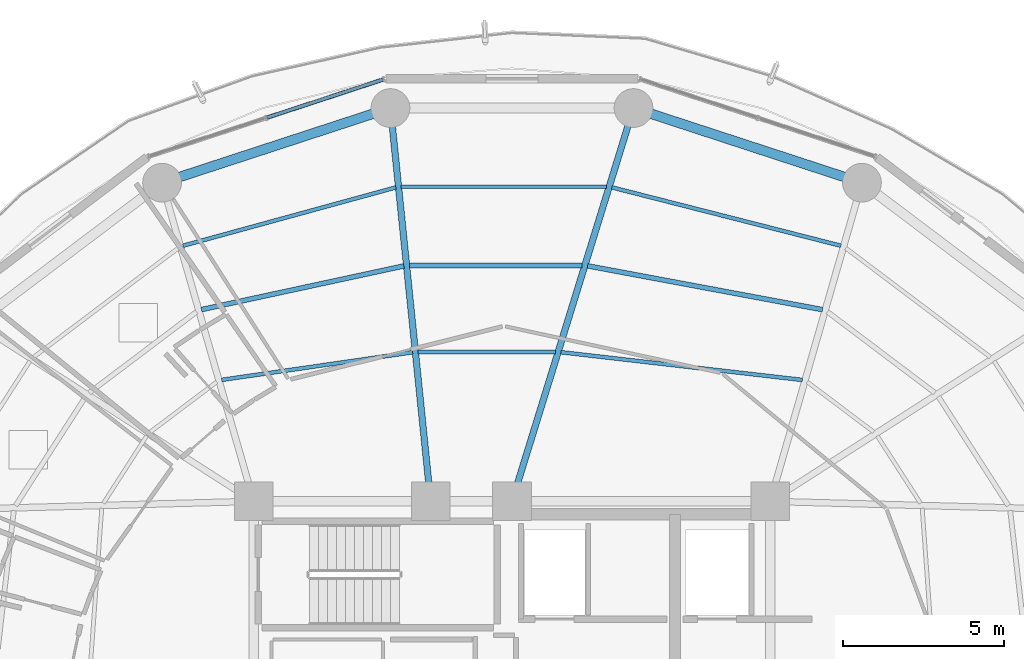
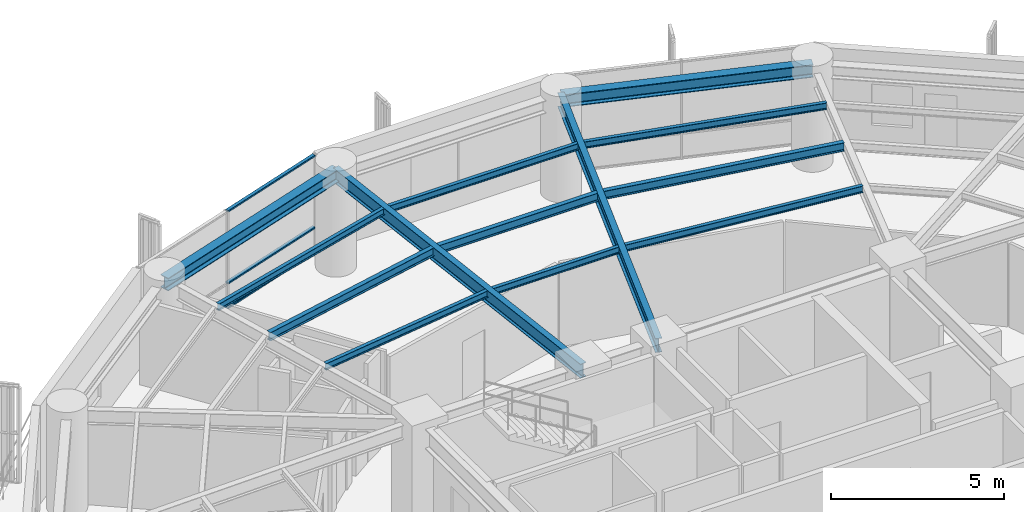
# One storey, part 17 of 28: 13 beams, 3 members, 1 element without a shape of its own.
"""IFC4 building model written with IfcOpenShell, lengths in metres."""

from ifc_helpers import new_model, si_unit, direction, frame, origin, origin_2d, place, context, subcontext, project, spatial, hollow_rectangle, i_section, extrude, material, layer, layer_set, material_profile, profile_set, type_object, element, aggregate, save


model = new_model("IFC4")

# Units and contexts
model_context = context("Model", 3, precision=1e-05, world=origin(), true_north=direction((0.0, 1.0)))
body_context = subcontext(model_context, "Body", "Model", "MODEL_VIEW")
ifc_project = project(units=[si_unit("LENGTHUNIT", "METRE"), si_unit("AREAUNIT", "SQUARE_METRE"), si_unit("VOLUMEUNIT", "CUBIC_METRE"), si_unit("PLANEANGLEUNIT", "RADIAN"), si_unit("MASSUNIT", "GRAM", prefix="KILO")], contexts=[model_context])

# Site, building, storey
site_placement = place(None, origin())
site = spatial("IfcSite", under=ifc_project, at=site_placement, CompositionType="ELEMENT")
building_placement = place(site_placement, origin())
building = spatial("IfcBuilding", under=site, at=building_placement, Name="Kelanora Arch Commons", CompositionType="ELEMENT")
storey_placement = place(building_placement, frame((0.0, 0.0, 161.85009765625)))
storey = spatial("IfcBuildingStorey", under=building, at=storey_placement, Name="L41", CompositionType="ELEMENT", Elevation=161.85009765625)

# Beams
ifc_material_1 = material(Name="Steel S355", Category="steel")
ifc_material_profile_1 = material_profile(ifc_material_1, i_section(OverallWidth=0.14990234375, OverallDepth=0.300048828125, WebThickness=0.007080078125, FlangeThickness=0.0107421875, FilletRadius=0.014892578125, at=origin_2d()), Name="IPE300")
ifc_profile_set_1 = profile_set([ifc_material_profile_1], Name="Steel S355")
beam_type_1 = type_object("IfcBeamType", Name="BM-JST-01", PredefinedType="JOIST", material=ifc_profile_set_1)
beam_1_placement = place(storey_placement, frame((83.620361328125, 70.937744140625, 3.33984375), z_axis=(-0.983054256126, 0.183314837134, 0.0), x_axis=(-0.183314837134, -0.983054256126, 0.0)))
element("IfcBeam", 1, at=beam_1_placement, inside=storey, type_object=beam_type_1, Name="Secondary Chord Joist BJB-06 L41", PredefinedType="JOIST", context=body_context, shape_type="SweptSolid", body=[
    extrude(i_section(OverallWidth=0.14990234375, OverallDepth=0.300048828125, WebThickness=0.007080078125, FlangeThickness=0.0107421875, FilletRadius=0.014892578125, at=origin_2d()), origin(), (0.0, 0.0, 1.0), 7.403564453125),
])
beam_2_placement = place(storey_placement, frame((76.173828125, 72.310546875, 3.33984375), z_axis=(-1.0, 0.0, 0.0), x_axis=(0.0, -1.0, 0.0)))
element("IfcBeam", 2, at=beam_2_placement, inside=storey, type_object=beam_type_1, Name="Secondary Chord Joist BJB-08 L41", PredefinedType="JOIST", context=body_context, shape_type="SweptSolid", body=[
    extrude(i_section(OverallWidth=0.14990234375, OverallDepth=0.300048828125, WebThickness=0.007080078125, FlangeThickness=0.0107421875, FilletRadius=0.014892578125, at=origin_2d()), origin(), (0.0, 0.0, 1.0), 5.355712890625),
])
beam_3_placement = place(storey_placement, frame((70.650146484375, 72.29248046875, 3.33984375), z_axis=(-0.977521966827, -0.210833594029, 0.0), x_axis=(0.210833594029, -0.977521966827, 0.0)))
element("IfcBeam", 3, at=beam_3_placement, inside=storey, type_object=beam_type_1, Name="Secondary Chord Joist BJB-10 L41", PredefinedType="JOIST", context=body_context, shape_type="SweptSolid", body=[
    extrude(i_section(OverallWidth=0.14990234375, OverallDepth=0.300048828125, WebThickness=0.007080078125, FlangeThickness=0.0107421875, FilletRadius=0.014892578125, at=origin_2d()), origin(), (0.0, 0.0, 1.0), 6.415283203125),
])
ifc_material_profile_2 = material_profile(ifc_material_1, i_section(OverallWidth=0.1201171875, OverallDepth=0.239990234375, WebThickness=0.006103515625, FlangeThickness=0.009765625, FilletRadius=0.014892578125, at=origin_2d()), Name="IPE240")
ifc_profile_set_2 = profile_set([ifc_material_profile_2], Name="Steel S355")
beam_type_2 = type_object("IfcBeamType", Name="BM-JST-02", PredefinedType="JOIST", material=ifc_profile_set_2)
beam_4_placement = place(storey_placement, frame((82.994873046875, 68.760498046875, 3.369873046875), z_axis=(-0.993457414184, 0.114203179475, 0.0), x_axis=(-0.114203179475, -0.993457414184, 0.0)))
element("IfcBeam", 4, at=beam_4_placement, inside=storey, type_object=beam_type_2, Name="Secondary Chord Joist BJA-06 L41", PredefinedType="JOIST", context=body_context, shape_type="SweptSolid", body=[
    extrude(i_section(OverallWidth=0.1201171875, OverallDepth=0.239990234375, WebThickness=0.006103515625, FlangeThickness=0.009765625, FilletRadius=0.014892578125, at=origin_2d()), origin(), (0.0, 0.0, 1.0), 7.529296875),
])
beam_5_placement = place(storey_placement, frame((84.189697265625, 72.917236328125, 3.369873046875), z_axis=(-0.96900232943, 0.247051584815, 0.0), x_axis=(-0.247051584815, -0.96900232943, 0.0)))
element("IfcBeam", 5, at=beam_5_placement, inside=storey, type_object=beam_type_2, Name="Secondary Chord Joist BJC-06 L41", PredefinedType="JOIST", context=body_context, shape_type="SweptSolid", body=[
    extrude(i_section(OverallWidth=0.1201171875, OverallDepth=0.239990234375, WebThickness=0.006103515625, FlangeThickness=0.009765625, FilletRadius=0.014892578125, at=origin_2d()), origin(), (0.0, 0.0, 1.0), 7.32275390625),
])
beam_6_placement = place(storey_placement, frame((75.345703125, 69.6298828125, 3.369873046875), z_axis=(-1.0, 0.0, 0.0), x_axis=(0.0, -1.0, 0.0)))
element("IfcBeam", 6, at=beam_6_placement, inside=storey, type_object=beam_type_2, Name="Secondary Chord Joist BJA-08 L41", PredefinedType="JOIST", context=body_context, shape_type="SweptSolid", body=[
    extrude(i_section(OverallWidth=0.1201171875, OverallDepth=0.239990234375, WebThickness=0.006103515625, FlangeThickness=0.009765625, FilletRadius=0.014892578125, at=origin_2d()), origin(), (0.0, 0.0, 1.0), 4.253662109375),
])
beam_7_placement = place(storey_placement, frame((76.9267578125, 74.747314453125, 3.369873046875), z_axis=(-1.0, 0.0, 0.0), x_axis=(0.0, -1.0, 0.0)))
element("IfcBeam", 7, at=beam_7_placement, inside=storey, type_object=beam_type_2, Name="Secondary Chord Joist BJC-08 L41", PredefinedType="JOIST", context=body_context, shape_type="SweptSolid", body=[
    extrude(i_section(OverallWidth=0.1201171875, OverallDepth=0.239990234375, WebThickness=0.006103515625, FlangeThickness=0.009765625, FilletRadius=0.014892578125, at=origin_2d()), origin(), (0.0, 0.0, 1.0), 6.357666015625),
])
beam_8_placement = place(storey_placement, frame((70.9228515625, 69.617919921875, 3.369873046875), z_axis=(-0.989718726051, -0.143027421508, 0.0), x_axis=(0.143027421508, -0.989718726051, 0.0)))
element("IfcBeam", 8, at=beam_8_placement, inside=storey, type_object=beam_type_2, Name="Secondary Chord Joist BJA-10 L41", PredefinedType="JOIST", context=body_context, shape_type="SweptSolid", body=[
    extrude(i_section(OverallWidth=0.1201171875, OverallDepth=0.239990234375, WebThickness=0.006103515625, FlangeThickness=0.009765625, FilletRadius=0.014892578125, at=origin_2d()), origin(), (0.0, 0.0, 1.0), 5.9794921875),
])
beam_9_placement = place(storey_placement, frame((70.40234375, 74.724853515625, 3.369873046875), z_axis=(-0.964456541131, -0.264241518824, 0.0), x_axis=(0.264241518824, -0.964456541131, 0.0)))
element("IfcBeam", 9, at=beam_9_placement, inside=storey, type_object=beam_type_2, Name="Secondary Chord Joist BJC-10 L41", PredefinedType="JOIST", context=body_context, shape_type="SweptSolid", body=[
    extrude(i_section(OverallWidth=0.1201171875, OverallDepth=0.239990234375, WebThickness=0.006103515625, FlangeThickness=0.009765625, FilletRadius=0.014892578125, at=origin_2d()), origin(), (0.0, 0.0, 1.0), 6.835205078125),
])
ifc_material_profile_3 = material_profile(ifc_material_1, i_section(OverallWidth=0.199951171875, OverallDepth=0.5, WebThickness=0.01025390625, FlangeThickness=0.01611328125, FilletRadius=0.02099609375, at=origin_2d()), Name="IPE500")
ifc_profile_set_3 = profile_set([ifc_material_profile_3], Name="Steel S355")
beam_type_3 = type_object("IfcBeamType", Name="BM-RAD-Z3", PredefinedType="BEAM", material=ifc_profile_set_3)
beam_10_placement = place(storey_placement, frame((74.0, 65.0, 3.239990234375), z_axis=(0.295210315095, 0.955432294755, 0.0), x_axis=(-0.955432294755, 0.295210315095, 0.0)))
element("IfcBeam", 10, at=beam_10_placement, inside=storey, type_object=beam_type_3, Name="Radial Floor Girder BR-08 L41", PredefinedType="BEAM", context=body_context, shape_type="SweptSolid", body=[
    extrude(i_section(OverallWidth=0.199951171875, OverallDepth=0.5, WebThickness=0.01025390625, FlangeThickness=0.01611328125, FilletRadius=0.02099609375, at=origin_2d()), origin(), (0.0, 0.0, 1.0), 12.75244140625),
])
beam_11_placement = place(storey_placement, frame((71.47998046875, 65.0, 3.239990234375), z_axis=(-0.101623200789, 0.994822961668, 0.0), x_axis=(-0.994822961668, -0.101623200789, 0.0)))
element("IfcBeam", 11, at=beam_11_placement, inside=storey, type_object=beam_type_3, Name="Radial Floor Girder BR-10 L41", PredefinedType="BEAM", context=body_context, shape_type="SweptSolid", body=[
    extrude(i_section(OverallWidth=0.199951171875, OverallDepth=0.5, WebThickness=0.01025390625, FlangeThickness=0.01611328125, FilletRadius=0.02099609375, at=origin_2d()), origin(), (0.0, 0.0, 1.0), 12.24755859375),
])
ifc_material_profile_4 = material_profile(ifc_material_1, i_section(OverallWidth=0.300048828125, OverallDepth=0.449951171875, WebThickness=0.013916015625, FlangeThickness=0.02587890625, FilletRadius=0.027099609375, at=origin_2d()), Name="HEB450")
ifc_profile_set_4 = profile_set([ifc_material_profile_4], Name="Steel S355")
beam_type_4 = type_object("IfcBeamType", Name="BM-SPN-Z3", PredefinedType="SPANDREL", material=ifc_profile_set_4)
for number, where, z_axis, x_axis, name in (
    (12, (84.840087890625, 74.8701171875, 3.264892578125), (-0.950461975786, 0.310840847676, 0.0), (-0.310840847676, -0.950461975786, 0.0), "Perimeter Spandrel Beam BS-06 L41"),
    (13, (70.2353515625, 77.18408203125, 3.264892578125), (-0.950461975786, -0.310840847676, 0.0), (0.310840847676, -0.950461975786, 0.0), "Perimeter Spandrel Beam BS-10 L41"),
):
    element("IfcBeam", number, at=place(storey_placement, frame(where, z_axis=z_axis, x_axis=x_axis)), inside=storey, type_object=beam_type_4, Name=name, PredefinedType="SPANDREL", context=body_context, shape_type="SweptSolid", body=[
        extrude(i_section(OverallWidth=0.300048828125, OverallDepth=0.449951171875, WebThickness=0.013916015625, FlangeThickness=0.02587890625, FilletRadius=0.027099609375, at=origin_2d()), origin(), (0.0, 0.0, 1.0), 7.444091796875),
    ])

# Curtain wall, members
ifc_material_2 = material(Name="Terracotta ceramic-fritted low-E glass and aluminium", Category="masonry")
ifc_layer = layer(ifc_material_2, 0.175048828125)
ifc_layer_set = layer_set([ifc_layer], Name="Terracotta ceramic-fritted low-E glass and aluminium")
curtain_wall_type = type_object("IfcCurtainWallType", Name="CW-SYS-02", PredefinedType="NOTDEFINED", material=ifc_layer_set)
curtain_wall_placement = place(storey_placement, origin())
curtain_wall = element("IfcCurtainWall", 14, at=curtain_wall_placement, inside=storey, type_object=curtain_wall_type, Name="Unitised Curtain Wall L41-B05", PredefinedType="NOTDEFINED")
ifc_material_3 = material(Name="Powder-coated aluminium terracotta", Category="masonry")
ifc_material_profile_5 = material_profile(ifc_material_3, hollow_rectangle(XDim=0.1201171875, YDim=0.06005859375, WallThickness=0.0048828125, InnerFilletRadius=0.0048828125, OuterFilletRadius=0.010009765625, at=origin_2d()), Name="CWT120x60")
ifc_profile_set_5 = profile_set([ifc_material_profile_5], Name="Powder-coated aluminium terracotta")
member_type = type_object("IfcMemberType", Name="CWT-STD", PredefinedType="USERDEFINED", material=ifc_profile_set_5)
member_1_placement = place(storey_placement, frame((70.00439453125, 78.066650390625, 0.02978515625), z_axis=(-0.950051191155, -0.312094111104, 0.0), x_axis=(0.312094111104, -0.950051191155, 0.0)))
member_1 = element("IfcMember", 15, at=member_1_placement, type_object=member_type, Name="CW-02 transom 1.1", ObjectType="TRANSOM", PredefinedType="USERDEFINED", context=body_context, shape_type="SweptSolid", body=[
    extrude(hollow_rectangle(XDim=0.1201171875, YDim=0.06005859375, WallThickness=0.0048828125, InnerFilletRadius=0.0048828125, OuterFilletRadius=0.010009765625, at=origin_2d()), origin(), (0.0, 0.0, 1.0), 3.77685546875),
])
member_2_placement = place(storey_placement, frame((70.00439453125, 78.066650390625, 0.89990234375), z_axis=(-0.950051191155, -0.312094111104, 0.0), x_axis=(0.312094111104, -0.950051191155, 0.0)))
member_2 = element("IfcMember", 16, at=member_2_placement, type_object=member_type, Name="CW-02 transom 1.2", ObjectType="TRANSOM", PredefinedType="USERDEFINED", context=body_context, shape_type="SweptSolid", body=[
    extrude(hollow_rectangle(XDim=0.1201171875, YDim=0.06005859375, WallThickness=0.0048828125, InnerFilletRadius=0.0048828125, OuterFilletRadius=0.010009765625, at=origin_2d()), origin(), (0.0, 0.0, 1.0), 3.77685546875),
])
member_3_placement = place(storey_placement, frame((70.00439453125, 78.066650390625, 3.44482421875), z_axis=(-0.950051191155, -0.312094111104, 0.0), x_axis=(0.312094111104, -0.950051191155, 0.0)))
member_3 = element("IfcMember", 17, at=member_3_placement, type_object=member_type, Name="CW-02 transom 1.3", ObjectType="TRANSOM", PredefinedType="USERDEFINED", context=body_context, shape_type="SweptSolid", body=[
    extrude(hollow_rectangle(XDim=0.1201171875, YDim=0.06005859375, WallThickness=0.0048828125, InnerFilletRadius=0.0048828125, OuterFilletRadius=0.010009765625, at=origin_2d()), origin(), (0.0, 0.0, 1.0), 3.77685546875),
])
aggregate(curtain_wall, [member_1, member_2, member_3])

save(model, "model.ifc")
